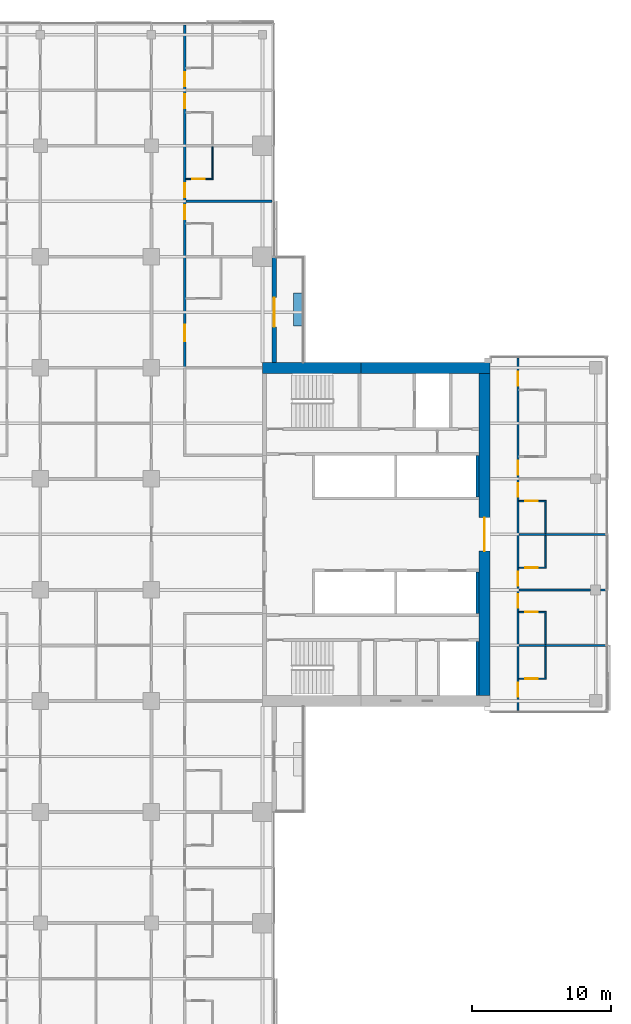
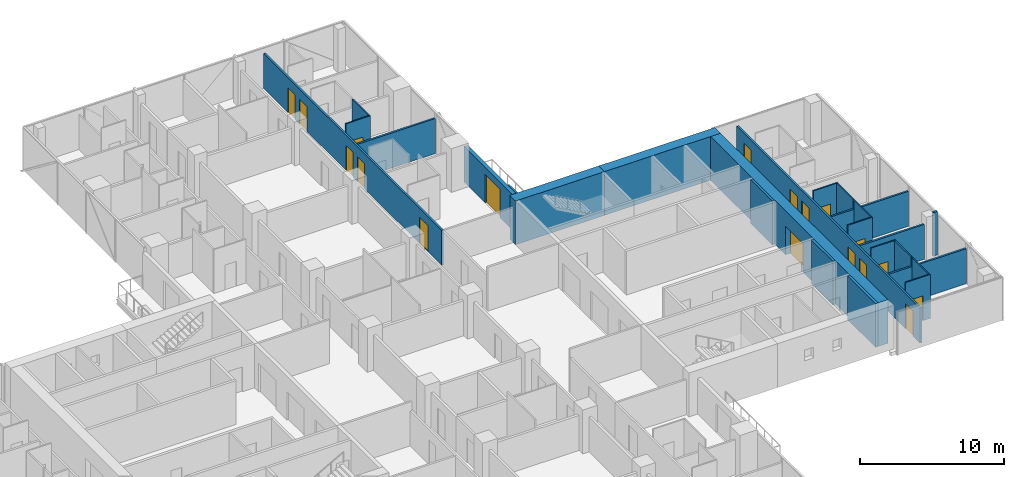
# One storey, part 22 of 29: 25 walls, 18 doors, 18 openings.
"""IFC4 building model written with IfcOpenShell, lengths in metres."""

from ifc_helpers import new_model, si_unit, direction, frame, frame_2d, origin, place, context, subcontext, project, spatial, rectangle, extrude, material, layer, layer_set, constituent, constituent_set, type_object, element, fill, save


model = new_model("IFC4")

# Units and contexts
model_context = context("Model", 3, precision=1e-05, world=origin(), true_north=direction((0.0, 1.0)))
body_context = subcontext(model_context, "Body", "Model", "MODEL_VIEW")
ifc_project = project(units=[si_unit("LENGTHUNIT", "METRE"), si_unit("AREAUNIT", "SQUARE_METRE"), si_unit("VOLUMEUNIT", "CUBIC_METRE"), si_unit("PLANEANGLEUNIT", "RADIAN"), si_unit("MASSUNIT", "GRAM", prefix="KILO")], contexts=[model_context])

# Site, building, storey
site_placement = place(None, origin())
site = spatial("IfcSite", under=ifc_project, at=site_placement, CompositionType="ELEMENT")
building_placement = place(site_placement, origin())
building = spatial("IfcBuilding", under=site, at=building_placement, Name="Crosswind Convention Tower", CompositionType="ELEMENT")
storey_placement = place(building_placement, frame((0.0, 0.0, 57.199951171875)))
storey = spatial("IfcBuildingStorey", under=building, at=storey_placement, Name="L08", CompositionType="ELEMENT", Elevation=57.199951171875)

# Wall, opening, door
ifc_material_1 = material(Name="Concrete C60/75", Category="concrete")
ifc_layer_1 = layer(ifc_material_1, 0.800048828125)
ifc_layer_set_1 = layer_set([ifc_layer_1], Name="Concrete C60/75")
wall_type_1 = type_object("IfcWallType", Name="Concrete core wall 800", PredefinedType="SHEAR", material=ifc_layer_set_1)
wall_1_placement = place(storey_placement, frame((153.0, 88.39990234375, 0.0), z_axis=(0.0, 0.0, 1.0), x_axis=(0.0, 1.0, 0.0)))
wall_1 = element("IfcWall", 1, at=wall_1_placement, inside=storey, type_object=wall_type_1, Name="Wall O E L08", PredefinedType="SHEAR", context=body_context, shape_type="SweptSolid", body=[
    extrude(rectangle(XDim=23.2001953125, YDim=0.800048828125, at=frame_2d((11.60009765625, 0.0))), origin(), (0.0, 0.0, 1.0), 3.699951171875),
])
opening_1_placement = place(wall_1_placement, frame((10.39990234375, 0.0, 0.0)))
opening_1 = element("IfcOpeningElement", 2, at=opening_1_placement, cuts=wall_1, Name="Opening D100", PredefinedType="OPENING", context=body_context, shape_type="SweptSolid", body=[
    extrude(rectangle(XDim=2.39990234375, YDim=2.39990234375, at=frame_2d((1.199951171875, 1.199951171875))), frame((0.0, 0.409912109375, 0.0), z_axis=(0.0, -1.0, 0.0), x_axis=(1.0, 0.0, 0.0)), (0.0, 0.0, 1.0), 0.820068359375),
])
ifc_material_2 = material(Name="Steel fire door with glazed vision panels", Category="steel")
door_type_1 = type_object("IfcDoorType", Name="Fire-rated double door 2400x2400", OperationType="DOUBLE_DOOR_SINGLE_SWING", PredefinedType="DOOR", material=ifc_material_2)
door_1_placement = place(opening_1_placement, origin())
door_1 = element("IfcDoor", 3, at=door_1_placement, inside=storey, type_object=door_type_1, Name="Lobby outer door L08", ObjectType="D100", OperationType="DOUBLE_DOOR_SINGLE_SWING", OverallHeight=2.39990234375, OverallWidth=2.39990234375, PredefinedType="DOOR", context=body_context, shape_type="SweptSolid", body=[
    extrude(rectangle(XDim=2.39990234375, YDim=2.39990234375, at=frame_2d((1.199951171875, 1.199951171875))), frame((0.0, 0.02490234375, 0.0), z_axis=(0.0, -1.0, 0.0), x_axis=(1.0, 0.0, 0.0)), (0.0, 0.0, 1.0), 0.050048828125),
])
fill(opening_1, door_1)

# Walls
ifc_material_3 = material(Name="Concrete C50/60", Category="concrete")
ifc_layer_2 = layer(ifc_material_3, 0.199951171875)
ifc_layer_set_2 = layer_set([ifc_layer_2], Name="Concrete C50/60")
wall_type_2 = type_object("IfcWallType", Name="Concrete shaft and stair wall 200", PredefinedType="SHEAR", material=ifc_layer_set_2)
for number, where, z_axis, x_axis, name in (
    (4, (152.5, 102.699951171875, 0.0), (0.0, 0.0, 1.0), (0.0, 1.0, 0.0), "Wall RPEAST E L08"),
    (5, (152.5, 94.300048828125, 0.0), (0.0, 0.0, 1.0), (0.0, 1.0, 0.0), "Wall RMEAST E L08"),
):
    element("IfcWall", number, at=place(storey_placement, frame(where, z_axis=z_axis, x_axis=x_axis)), inside=storey, type_object=wall_type_2, Name=name, PredefinedType="SHEAR", context=body_context, shape_type="SweptSolid", body=[
        extrude(rectangle(XDim=3.0, YDim=0.199951171875, at=frame_2d((1.5, 0.0))), origin(), (0.0, 0.0, 1.0), 3.699951171875),
    ])
wall_2_placement = place(storey_placement, frame((152.5, 88.39990234375, 0.0), z_axis=(0.0, 0.0, 1.0), x_axis=(0.0, 1.0, 0.0)))
element("IfcWall", 6, at=wall_2_placement, inside=storey, type_object=wall_type_2, Name="Wall MFSE E L08", PredefinedType="SHEAR", context=body_context, shape_type="SweptSolid", body=[
    extrude(rectangle(XDim=3.900146484375, YDim=0.199951171875, at=frame_2d((1.9501953125, 0.0))), origin(), (0.0, 0.0, 1.0), 3.699951171875),
])
ifc_material_4 = material(Name="Acoustic plasterboard partition", Category="gypsum")
ifc_layer_3 = layer(ifc_material_4, 0.14990234375)
ifc_layer_set_3 = layer_set([ifc_layer_3], Name="GUEST ROOM WALL 150")
wall_type_3 = type_object("IfcWallType", Name="GUEST ROOM WALL 150", PredefinedType="PARTITIONING", material=ifc_layer_set_3)
wall_3_placement = place(storey_placement, frame((155.47509765625, 92.0, 0.0), z_axis=(0.0, 0.0, 1.0), x_axis=(1.0, 0.0, 0.0)))
element("IfcWall", 7, at=wall_3_placement, inside=storey, type_object=wall_type_3, Name="Guest Room Wall 30", PredefinedType="PARTITIONING", context=body_context, shape_type="SweptSolid", body=[
    extrude(rectangle(XDim=6.224853515625, YDim=0.14990234375, at=frame_2d((3.1123046875, 0.0))), origin(), (0.0, 0.0, 1.0), 2.962890625),
])
wall_4_placement = place(storey_placement, frame((155.47509765625, 96.0, 0.0), z_axis=(0.0, 0.0, 1.0), x_axis=(1.0, 0.0, 0.0)))
element("IfcWall", 8, at=wall_4_placement, inside=storey, type_object=wall_type_3, Name="Guest Room Wall 39", PredefinedType="PARTITIONING", context=body_context, shape_type="SweptSolid", body=[
    extrude(rectangle(XDim=5.1748046875, YDim=0.14990234375, at=frame_2d((2.58740234375, 0.0))), origin(), (0.0, 0.0, 1.0), 2.95654296875),
])
wall_5_placement = place(storey_placement, frame((161.35009765625, 96.0, 0.0), z_axis=(0.0, 0.0, 1.0), x_axis=(1.0, 0.0, 0.0)))
element("IfcWall", 9, at=wall_5_placement, inside=storey, type_object=wall_type_3, Name="Guest Room Wall 40", PredefinedType="PARTITIONING", context=body_context, shape_type="SweptSolid", body=[
    extrude(rectangle(XDim=0.349853515625, YDim=0.14990234375, at=frame_2d((0.1748046875, 0.0))), origin(), (0.0, 0.0, 1.0), 3.699951171875),
])
for number, where, z_axis, x_axis, name in (
    (10, (155.47509765625, 100.0, 0.0), (0.0, 0.0, 1.0), (1.0, 0.0, 0.0), "Guest Room Wall 44"),
    (11, (131.47509765625, 124.0, 0.0), (0.0, 0.0, 1.0), (1.0, 0.0, 0.0), "Guest Room Wall 72"),
):
    element("IfcWall", number, at=place(storey_placement, frame(where, z_axis=z_axis, x_axis=x_axis)), inside=storey, type_object=wall_type_3, Name=name, PredefinedType="PARTITIONING", context=body_context, shape_type="SweptSolid", body=[
        extrude(rectangle(XDim=6.224853515625, YDim=0.14990234375, at=frame_2d((3.1123046875, 0.0))), origin(), (0.0, 0.0, 1.0), 2.962890625),
    ])

# Wall, openings, doors
wall_6_placement = place(storey_placement, frame((131.39990234375, 112.0, 0.0), z_axis=(0.0, 0.0, 1.0), x_axis=(0.0, 1.0, 0.0)))
wall_6 = element("IfcWall", 12, at=wall_6_placement, inside=storey, type_object=wall_type_3, Name="Guest Room Wall 142", PredefinedType="PARTITIONING", context=body_context, shape_type="SweptSolid", body=[
    extrude(rectangle(XDim=24.699951171875, YDim=0.14990234375, at=frame_2d((12.35009765625, 0.0))), origin(), (0.0, 0.0, 1.0), 2.95654296875),
])
opening_2_placement = place(wall_6_placement, frame((1.89990234375, 0.0, 0.0)))
opening_2 = element("IfcOpeningElement", 13, at=opening_2_placement, cuts=wall_6, Name="Opening 08.005", PredefinedType="OPENING", context=body_context, shape_type="SweptSolid", body=[
    extrude(rectangle(XDim=1.199951171875, YDim=2.199951171875, at=frame_2d((0.60009765625, 1.10009765625))), frame((0.0, 0.0849609375, 0.0), z_axis=(0.0, -1.0, 0.0), x_axis=(1.0, 0.0, 0.0)), (0.0, 0.0, 1.0), 0.169921875),
])
opening_3_placement = place(wall_6_placement, frame((10.699951171875, 0.0, 0.0)))
opening_3 = element("IfcOpeningElement", 14, at=opening_3_placement, cuts=wall_6, Name="Opening 08.007", PredefinedType="OPENING", context=body_context, shape_type="SweptSolid", body=[
    extrude(rectangle(XDim=1.0, YDim=2.10009765625, at=frame_2d((0.5, 1.050048828125))), frame((0.0, 0.0849609375, 0.0), z_axis=(0.0, -1.0, 0.0), x_axis=(1.0, 0.0, 0.0)), (0.0, 0.0, 1.0), 0.169921875),
])
opening_4_placement = place(wall_6_placement, frame((12.300048828125, 0.0, 0.0)))
opening_4 = element("IfcOpeningElement", 15, at=opening_4_placement, cuts=wall_6, Name="Opening 08.009", PredefinedType="OPENING", context=body_context, shape_type="SweptSolid", body=[
    extrude(rectangle(XDim=1.0, YDim=2.10009765625, at=frame_2d((0.5, 1.050048828125))), frame((0.0, 0.0849609375, 0.0), z_axis=(0.0, -1.0, 0.0), x_axis=(1.0, 0.0, 0.0)), (0.0, 0.0, 1.0), 0.169921875),
])
opening_5_placement = place(wall_6_placement, frame((18.699951171875, 0.0, 0.0)))
opening_5 = element("IfcOpeningElement", 16, at=opening_5_placement, cuts=wall_6, Name="Opening 08.011", PredefinedType="OPENING", context=body_context, shape_type="SweptSolid", body=[
    extrude(rectangle(XDim=1.0, YDim=2.10009765625, at=frame_2d((0.5, 1.050048828125))), frame((0.0, 0.0849609375, 0.0), z_axis=(0.0, -1.0, 0.0), x_axis=(1.0, 0.0, 0.0)), (0.0, 0.0, 1.0), 0.169921875),
])
opening_6_placement = place(wall_6_placement, frame((20.300048828125, 0.0, 0.0)))
opening_6 = element("IfcOpeningElement", 17, at=opening_6_placement, cuts=wall_6, Name="Opening 08.013", PredefinedType="OPENING", context=body_context, shape_type="SweptSolid", body=[
    extrude(rectangle(XDim=1.0, YDim=2.10009765625, at=frame_2d((0.5, 1.050048828125))), frame((0.0, 0.0849609375, 0.0), z_axis=(0.0, -1.0, 0.0), x_axis=(1.0, 0.0, 0.0)), (0.0, 0.0, 1.0), 0.169921875),
])
ifc_material_5 = material(Name="Timber fire door", Category="wood")
door_type_2 = type_object("IfcDoorType", Name="GUEST ROOM DOOR 1000X2100", OperationType="NOTDEFINED", PredefinedType="DOOR", material=ifc_material_5)
door_2_placement = place(opening_3_placement, frame((1.0, 0.0, 0.0), z_axis=(0.0, 0.0, 1.0), x_axis=(-1.0, 0.0, 0.0)))
door_2 = element("IfcDoor", 18, at=door_2_placement, inside=storey, type_object=door_type_2, Name="Door 08.007", ObjectType="D1", OperationType="SINGLE_SWING_LEFT", OverallHeight=2.10009765625, OverallWidth=1.0, PredefinedType="DOOR", context=body_context, shape_type="SweptSolid", body=[
    extrude(rectangle(XDim=1.0, YDim=2.10009765625, at=frame_2d((0.5, 1.050048828125))), frame((0.0, 0.02490234375, 0.0), z_axis=(0.0, -1.0, 0.0), x_axis=(1.0, 0.0, 0.0)), (0.0, 0.0, 1.0), 0.050048828125),
])
fill(opening_3, door_2)
door_3_placement = place(opening_4_placement, frame((1.0, 0.0, 0.0), z_axis=(0.0, 0.0, 1.0), x_axis=(-1.0, 0.0, 0.0)))
door_3 = element("IfcDoor", 19, at=door_3_placement, inside=storey, type_object=door_type_2, Name="Door 08.009", ObjectType="D1", OperationType="SINGLE_SWING_LEFT", OverallHeight=2.10009765625, OverallWidth=1.0, PredefinedType="DOOR", context=body_context, shape_type="SweptSolid", body=[
    extrude(rectangle(XDim=1.0, YDim=2.10009765625, at=frame_2d((0.5, 1.050048828125))), frame((0.0, 0.02490234375, 0.0), z_axis=(0.0, -1.0, 0.0), x_axis=(1.0, 0.0, 0.0)), (0.0, 0.0, 1.0), 0.050048828125),
])
fill(opening_4, door_3)
door_4_placement = place(opening_5_placement, frame((1.0, 0.0, 0.0), z_axis=(0.0, 0.0, 1.0), x_axis=(-1.0, 0.0, 0.0)))
door_4 = element("IfcDoor", 20, at=door_4_placement, inside=storey, type_object=door_type_2, Name="Door 08.011", ObjectType="D1", OperationType="SINGLE_SWING_LEFT", OverallHeight=2.10009765625, OverallWidth=1.0, PredefinedType="DOOR", context=body_context, shape_type="SweptSolid", body=[
    extrude(rectangle(XDim=1.0, YDim=2.10009765625, at=frame_2d((0.5, 1.050048828125))), frame((0.0, 0.02490234375, 0.0), z_axis=(0.0, -1.0, 0.0), x_axis=(1.0, 0.0, 0.0)), (0.0, 0.0, 1.0), 0.050048828125),
])
fill(opening_5, door_4)
door_5_placement = place(opening_6_placement, frame((1.0, 0.0, 0.0), z_axis=(0.0, 0.0, 1.0), x_axis=(-1.0, 0.0, 0.0)))
door_5 = element("IfcDoor", 21, at=door_5_placement, inside=storey, type_object=door_type_2, Name="Door 08.013", ObjectType="D1", OperationType="SINGLE_SWING_LEFT", OverallHeight=2.10009765625, OverallWidth=1.0, PredefinedType="DOOR", context=body_context, shape_type="SweptSolid", body=[
    extrude(rectangle(XDim=1.0, YDim=2.10009765625, at=frame_2d((0.5, 1.050048828125))), frame((0.0, 0.02490234375, 0.0), z_axis=(0.0, -1.0, 0.0), x_axis=(1.0, 0.0, 0.0)), (0.0, 0.0, 1.0), 0.050048828125),
])
fill(opening_6, door_5)
door_type_3 = type_object("IfcDoorType", Name="SUITE DOOR 1200X2200", OperationType="DOUBLE_DOOR_SINGLE_SWING", PredefinedType="DOOR", material=ifc_material_5)
door_6_placement = place(opening_2_placement, frame((1.199951171875, 0.0, 0.0), z_axis=(0.0, 0.0, 1.0), x_axis=(-1.0, 0.0, 0.0)))
door_6 = element("IfcDoor", 22, at=door_6_placement, inside=storey, type_object=door_type_3, Name="Door 08.005", ObjectType="D14", OperationType="DOUBLE_DOOR_SINGLE_SWING", OverallHeight=2.199951171875, OverallWidth=1.199951171875, PredefinedType="DOOR", context=body_context, shape_type="SweptSolid", body=[
    extrude(rectangle(XDim=1.199951171875, YDim=2.199951171875, at=frame_2d((0.60009765625, 1.10009765625))), frame((0.0, 0.02490234375, 0.0), z_axis=(0.0, -1.0, 0.0), x_axis=(1.0, 0.0, 0.0)), (0.0, 0.0, 1.0), 0.050048828125),
])
fill(opening_2, door_6)

wall_7_placement = place(storey_placement, frame((155.39990234375, 87.300048828125, 0.0), z_axis=(0.0, 0.0, 1.0), x_axis=(0.0, 1.0, 0.0)))
wall_7 = element("IfcWall", 23, at=wall_7_placement, inside=storey, type_object=wall_type_3, Name="Guest Room Wall 153", PredefinedType="PARTITIONING", context=body_context, shape_type="SweptSolid", body=[
    extrude(rectangle(XDim=25.39990234375, YDim=0.14990234375, at=frame_2d((12.699951171875, 0.0))), origin(), (0.0, 0.0, 1.0), 2.95654296875),
])
opening_7_placement = place(wall_7_placement, frame((1.0, 0.0, 0.0)))
opening_7 = element("IfcOpeningElement", 24, at=opening_7_placement, cuts=wall_7, Name="Opening 08.045", PredefinedType="OPENING", context=body_context, shape_type="SweptSolid", body=[
    extrude(rectangle(XDim=1.0, YDim=2.10009765625, at=frame_2d((0.5, 1.050048828125))), frame((0.0, 0.0849609375, 0.0), z_axis=(0.0, -1.0, 0.0), x_axis=(1.0, 0.0, 0.0)), (0.0, 0.0, 1.0), 0.169921875),
])
opening_8_placement = place(wall_7_placement, frame((7.39990234375, 0.0, 0.0)))
opening_8 = element("IfcOpeningElement", 25, at=opening_8_placement, cuts=wall_7, Name="Opening 08.047", PredefinedType="OPENING", context=body_context, shape_type="SweptSolid", body=[
    extrude(rectangle(XDim=1.0, YDim=2.10009765625, at=frame_2d((0.5, 1.050048828125))), frame((0.0, 0.0849609375, 0.0), z_axis=(0.0, -1.0, 0.0), x_axis=(1.0, 0.0, 0.0)), (0.0, 0.0, 1.0), 0.169921875),
])
opening_9_placement = place(wall_7_placement, frame((9.0, 0.0, 0.0)))
opening_9 = element("IfcOpeningElement", 26, at=opening_9_placement, cuts=wall_7, Name="Opening 08.049", PredefinedType="OPENING", context=body_context, shape_type="SweptSolid", body=[
    extrude(rectangle(XDim=1.0, YDim=2.10009765625, at=frame_2d((0.5, 1.050048828125))), frame((0.0, 0.0849609375, 0.0), z_axis=(0.0, -1.0, 0.0), x_axis=(1.0, 0.0, 0.0)), (0.0, 0.0, 1.0), 0.169921875),
])
opening_10_placement = place(wall_7_placement, frame((15.39990234375, 0.0, 0.0)))
opening_10 = element("IfcOpeningElement", 27, at=opening_10_placement, cuts=wall_7, Name="Opening 08.051", PredefinedType="OPENING", context=body_context, shape_type="SweptSolid", body=[
    extrude(rectangle(XDim=1.0, YDim=2.10009765625, at=frame_2d((0.5, 1.050048828125))), frame((0.0, 0.0849609375, 0.0), z_axis=(0.0, -1.0, 0.0), x_axis=(1.0, 0.0, 0.0)), (0.0, 0.0, 1.0), 0.169921875),
])
opening_11_placement = place(wall_7_placement, frame((17.0, 0.0, 0.0)))
opening_11 = element("IfcOpeningElement", 28, at=opening_11_placement, cuts=wall_7, Name="Opening 08.053", PredefinedType="OPENING", context=body_context, shape_type="SweptSolid", body=[
    extrude(rectangle(XDim=1.0, YDim=2.10009765625, at=frame_2d((0.5, 1.050048828125))), frame((0.0, 0.0849609375, 0.0), z_axis=(0.0, -1.0, 0.0), x_axis=(1.0, 0.0, 0.0)), (0.0, 0.0, 1.0), 0.169921875),
])
opening_12_placement = place(wall_7_placement, frame((23.39990234375, 0.0, 0.0)))
opening_12 = element("IfcOpeningElement", 29, at=opening_12_placement, cuts=wall_7, Name="Opening 08.055", PredefinedType="OPENING", context=body_context, shape_type="SweptSolid", body=[
    extrude(rectangle(XDim=1.0, YDim=2.10009765625, at=frame_2d((0.5, 1.050048828125))), frame((0.0, 0.0849609375, 0.0), z_axis=(0.0, -1.0, 0.0), x_axis=(1.0, 0.0, 0.0)), (0.0, 0.0, 1.0), 0.169921875),
])
door_7_placement = place(opening_7_placement, frame((1.0, 0.0, 0.0), z_axis=(0.0, 0.0, 1.0), x_axis=(-1.0, 0.0, 0.0)))
door_7 = element("IfcDoor", 30, at=door_7_placement, inside=storey, type_object=door_type_2, Name="Door 08.045", ObjectType="D1", OperationType="SINGLE_SWING_LEFT", OverallHeight=2.10009765625, OverallWidth=1.0, PredefinedType="DOOR", context=body_context, shape_type="SweptSolid", body=[
    extrude(rectangle(XDim=1.0, YDim=2.10009765625, at=frame_2d((0.5, 1.050048828125))), frame((0.0, 0.02490234375, 0.0), z_axis=(0.0, -1.0, 0.0), x_axis=(1.0, 0.0, 0.0)), (0.0, 0.0, 1.0), 0.050048828125),
])
fill(opening_7, door_7)
door_8_placement = place(opening_8_placement, frame((1.0, 0.0, 0.0), z_axis=(0.0, 0.0, 1.0), x_axis=(-1.0, 0.0, 0.0)))
door_8 = element("IfcDoor", 31, at=door_8_placement, inside=storey, type_object=door_type_2, Name="Door 08.047", ObjectType="D1", OperationType="SINGLE_SWING_LEFT", OverallHeight=2.10009765625, OverallWidth=1.0, PredefinedType="DOOR", context=body_context, shape_type="SweptSolid", body=[
    extrude(rectangle(XDim=1.0, YDim=2.10009765625, at=frame_2d((0.5, 1.050048828125))), frame((0.0, 0.02490234375, 0.0), z_axis=(0.0, -1.0, 0.0), x_axis=(1.0, 0.0, 0.0)), (0.0, 0.0, 1.0), 0.050048828125),
])
fill(opening_8, door_8)
door_9_placement = place(opening_9_placement, frame((1.0, 0.0, 0.0), z_axis=(0.0, 0.0, 1.0), x_axis=(-1.0, 0.0, 0.0)))
door_9 = element("IfcDoor", 32, at=door_9_placement, inside=storey, type_object=door_type_2, Name="Door 08.049", ObjectType="D1", OperationType="SINGLE_SWING_LEFT", OverallHeight=2.10009765625, OverallWidth=1.0, PredefinedType="DOOR", context=body_context, shape_type="SweptSolid", body=[
    extrude(rectangle(XDim=1.0, YDim=2.10009765625, at=frame_2d((0.5, 1.050048828125))), frame((0.0, 0.02490234375, 0.0), z_axis=(0.0, -1.0, 0.0), x_axis=(1.0, 0.0, 0.0)), (0.0, 0.0, 1.0), 0.050048828125),
])
fill(opening_9, door_9)
door_10_placement = place(opening_10_placement, frame((1.0, 0.0, 0.0), z_axis=(0.0, 0.0, 1.0), x_axis=(-1.0, 0.0, 0.0)))
door_10 = element("IfcDoor", 33, at=door_10_placement, inside=storey, type_object=door_type_2, Name="Door 08.051", ObjectType="D1", OperationType="SINGLE_SWING_LEFT", OverallHeight=2.10009765625, OverallWidth=1.0, PredefinedType="DOOR", context=body_context, shape_type="SweptSolid", body=[
    extrude(rectangle(XDim=1.0, YDim=2.10009765625, at=frame_2d((0.5, 1.050048828125))), frame((0.0, 0.02490234375, 0.0), z_axis=(0.0, -1.0, 0.0), x_axis=(1.0, 0.0, 0.0)), (0.0, 0.0, 1.0), 0.050048828125),
])
fill(opening_10, door_10)
door_11_placement = place(opening_11_placement, frame((1.0, 0.0, 0.0), z_axis=(0.0, 0.0, 1.0), x_axis=(-1.0, 0.0, 0.0)))
door_11 = element("IfcDoor", 34, at=door_11_placement, inside=storey, type_object=door_type_2, Name="Door 08.053", ObjectType="D1", OperationType="SINGLE_SWING_LEFT", OverallHeight=2.10009765625, OverallWidth=1.0, PredefinedType="DOOR", context=body_context, shape_type="SweptSolid", body=[
    extrude(rectangle(XDim=1.0, YDim=2.10009765625, at=frame_2d((0.5, 1.050048828125))), frame((0.0, 0.02490234375, 0.0), z_axis=(0.0, -1.0, 0.0), x_axis=(1.0, 0.0, 0.0)), (0.0, 0.0, 1.0), 0.050048828125),
])
fill(opening_11, door_11)
door_12_placement = place(opening_12_placement, frame((1.0, 0.0, 0.0), z_axis=(0.0, 0.0, 1.0), x_axis=(-1.0, 0.0, 0.0)))
door_12 = element("IfcDoor", 35, at=door_12_placement, inside=storey, type_object=door_type_2, Name="Door 08.055", ObjectType="D1", OperationType="SINGLE_SWING_RIGHT", OverallHeight=2.10009765625, OverallWidth=1.0, PredefinedType="DOOR", context=body_context, shape_type="SweptSolid", body=[
    extrude(rectangle(XDim=1.0, YDim=2.10009765625, at=frame_2d((0.5, 1.050048828125))), frame((0.0, 0.02490234375, 0.0), z_axis=(0.0, -1.0, 0.0), x_axis=(1.0, 0.0, 0.0)), (0.0, 0.0, 1.0), 0.050048828125),
])
fill(opening_12, door_12)

# Wall
ifc_material_6 = material(Name="Concrete C30/37", Category="concrete")
ifc_layer_4 = layer(ifc_material_6, 0.60009765625)
ifc_layer_set_4 = layer_set([ifc_layer_4], Name="Concrete C30/37")
wall_type_4 = type_object("IfcWallType", Name="PLANTER BOX WALL 600", PredefinedType="SOLIDWALL", material=ifc_layer_set_4)
wall_8_placement = place(storey_placement, frame((139.550048828125, 115.0, 0.0), z_axis=(0.0, 0.0, 1.0), x_axis=(0.0, 1.0, 0.0)))
element("IfcWall", 36, at=wall_8_placement, inside=storey, type_object=wall_type_4, Name="PLANTER L08 N-E.1-1", PredefinedType="SOLIDWALL", context=body_context, shape_type="SweptSolid", body=[
    extrude(rectangle(XDim=2.39990234375, YDim=0.60009765625, at=frame_2d((1.199951171875, 0.0))), origin(), (0.0, 0.0, 1.0), 0.60009765625),
])

# Wall, opening, door
ifc_material_7 = material(Name="Terracotta rainscreen", Category="ceramic")
ifc_layer_5 = layer(ifc_material_7, 0.02001953125)
ifc_material_8 = material(Name="Mineral wool insulation", Category="insulation")
ifc_layer_6 = layer(ifc_material_8, 0.10009765625)
ifc_material_9 = material(Name="Concrete blockwork", Category="masonry")
ifc_layer_7 = layer(ifc_material_9, 0.179931640625)
ifc_layer_set_5 = layer_set([ifc_layer_5, ifc_layer_6, ifc_layer_7], Name="TERRACOTTA INFILL WALL 300")
wall_type_5 = type_object("IfcWallType", Name="TERRACOTTA INFILL WALL 300", PredefinedType="SOLIDWALL", material=ifc_layer_set_5)
wall_9_placement = place(storey_placement, frame((137.85009765625, 112.39990234375, 0.0), z_axis=(0.0, 0.0, 1.0), x_axis=(0.0, 1.0, 0.0)))
wall_9 = element("IfcWall", 37, at=wall_9_placement, inside=storey, type_object=wall_type_5, Name="Notch front wall L08 N-E.1-1", PredefinedType="SOLIDWALL", context=body_context, shape_type="SweptSolid", body=[
    extrude(rectangle(XDim=7.567626953125, YDim=0.300048828125, at=frame_2d((3.78369140625, 0.0))), origin(), (0.0, 0.0, 1.0), 3.013671875),
])
opening_13_placement = place(wall_9_placement, frame((2.550048828125, 0.0, 0.0)))
opening_13 = element("IfcOpeningElement", 38, at=opening_13_placement, cuts=wall_9, Name="Opening D141", PredefinedType="OPENING", context=body_context, shape_type="SweptSolid", body=[
    extrude(rectangle(XDim=2.10009765625, YDim=2.39990234375, at=frame_2d((1.050048828125, 1.199951171875))), frame((0.0, 0.159912109375, 0.0), z_axis=(0.0, -1.0, 0.0), x_axis=(1.0, 0.0, 0.0)), (0.0, 0.0, 1.0), 0.320068359375),
])
ifc_material_10 = material(Name="Aluminium glazed door", Category="aluminium")
door_type_4 = type_object("IfcDoorType", Name="BALCONY SLIDING DOOR 2100X2400", OperationType="SLIDING_TO_LEFT", PredefinedType="DOOR", material=ifc_material_10)
door_13_placement = place(opening_13_placement, frame((2.10009765625, 0.0, 0.0), z_axis=(0.0, 0.0, 1.0), x_axis=(-1.0, 0.0, 0.0)))
door_13 = element("IfcDoor", 39, at=door_13_placement, inside=storey, type_object=door_type_4, Name="D141 balcony door L08 N-E.1-1", ObjectType="D141", OperationType="SLIDING_TO_LEFT", OverallHeight=2.39990234375, OverallWidth=2.10009765625, PredefinedType="DOOR", context=body_context, shape_type="SweptSolid", body=[
    extrude(rectangle(XDim=2.10009765625, YDim=2.39990234375, at=frame_2d((1.050048828125, 1.199951171875))), frame((0.0, 0.02490234375, 0.0), z_axis=(0.0, -1.0, 0.0), x_axis=(1.0, 0.0, 0.0)), (0.0, 0.0, 1.0), 0.050048828125),
])
fill(opening_13, door_13)

# Walls
ifc_constituent_1 = constituent(ifc_material_1, Name="Structure")
ifc_constituent_2 = constituent(ifc_material_7, Name="Facing")
ifc_constituent_set = constituent_set(constituents=[ifc_constituent_1, ifc_constituent_2], Name="Concrete C60/75, Terracotta rainscreen")
wall_type_6 = type_object("IfcWallType", Name="Terracotta rainscreen on concrete core wall 800", PredefinedType="SHEAR", material=ifc_constituent_set)
wall_10_placement = place(storey_placement, frame((137.0, 112.0, 0.0), z_axis=(0.0, 0.0, 1.0), x_axis=(1.0, 0.0, 0.0)))
element("IfcWall", 40, at=wall_10_placement, inside=storey, type_object=wall_type_6, Name="Wall N1 E L08", PredefinedType="SHEAR", context=body_context, shape_type="SweptSolid", body=[
    extrude(rectangle(XDim=7.10009765625, YDim=0.800048828125, at=frame_2d((3.550048828125, 0.0))), origin(), (0.0, 0.0, 1.0), 3.699951171875),
])
wall_11_placement = place(storey_placement, frame((144.10009765625, 112.0, 0.0), z_axis=(0.0, 0.0, 1.0), x_axis=(1.0, 0.0, 0.0)))
element("IfcWall", 41, at=wall_11_placement, inside=storey, type_object=wall_type_6, Name="Wall N2 E L08", PredefinedType="SHEAR", context=body_context, shape_type="SweptSolid", body=[
    extrude(rectangle(XDim=9.2998046875, YDim=0.800048828125, at=frame_2d((4.64990234375, 0.0))), origin(), (0.0, 0.0, 1.0), 3.699951171875),
])

# Wall, opening, door
ifc_material_11 = material(Name="Water-resistant plasterboard partition", Category="gypsum")
ifc_layer_8 = layer(ifc_material_11, 0.10009765625)
ifc_layer_set_6 = layer_set([ifc_layer_8], Name="WET ROOM PARTITION 100")
wall_type_7 = type_object("IfcWallType", Name="WET ROOM PARTITION 100", PredefinedType="PLUMBINGWALL", material=ifc_layer_set_6)
wall_12_placement = place(storey_placement, frame((155.47509765625, 89.60009765625, 0.0), z_axis=(0.0, 0.0, 1.0), x_axis=(1.0, 0.0, 0.0)))
wall_12 = element("IfcWall", 42, at=wall_12_placement, inside=storey, type_object=wall_type_7, Name="Wet Room Partition 26", PredefinedType="PLUMBINGWALL", context=body_context, shape_type="SweptSolid", body=[
    extrude(rectangle(XDim=1.974853515625, YDim=0.10009765625, at=frame_2d((0.9873046875, 0.0))), origin(), (0.0, 0.0, 1.0), 3.699951171875),
])
opening_14_placement = place(wall_12_placement, frame((0.47509765625, 0.0, 0.0)))
opening_14 = element("IfcOpeningElement", 43, at=opening_14_placement, cuts=wall_12, Name="Opening 08.046", PredefinedType="OPENING", context=body_context, shape_type="SweptSolid", body=[
    extrude(rectangle(XDim=0.89990234375, YDim=2.10009765625, at=frame_2d((0.449951171875, 1.050048828125))), frame((0.0, 0.06005859375, 0.0), z_axis=(0.0, -1.0, 0.0), x_axis=(1.0, 0.0, 0.0)), (0.0, 0.0, 1.0), 0.1201171875),
])
ifc_material_12 = material(Name="Timber door", Category="wood")
door_type_5 = type_object("IfcDoorType", Name="EN-SUITE DOOR 900X2100", OperationType="NOTDEFINED", PredefinedType="DOOR", material=ifc_material_12)
door_14_placement = place(opening_14_placement, origin())
door_14 = element("IfcDoor", 44, at=door_14_placement, inside=storey, type_object=door_type_5, Name="Door 08.046", ObjectType="D2", OperationType="SINGLE_SWING_RIGHT", OverallHeight=2.10009765625, OverallWidth=0.89990234375, PredefinedType="DOOR", context=body_context, shape_type="SweptSolid", body=[
    extrude(rectangle(XDim=0.89990234375, YDim=2.10009765625, at=frame_2d((0.449951171875, 1.050048828125))), frame((0.0, 0.02490234375, 0.0), z_axis=(0.0, -1.0, 0.0), x_axis=(1.0, 0.0, 0.0)), (0.0, 0.0, 1.0), 0.050048828125),
])
fill(opening_14, door_14)

wall_13_placement = place(storey_placement, frame((155.47509765625, 94.39990234375, 0.0), z_axis=(0.0, 0.0, 1.0), x_axis=(1.0, 0.0, 0.0)))
wall_13 = element("IfcWall", 45, at=wall_13_placement, inside=storey, type_object=wall_type_7, Name="Wet Room Partition 34", PredefinedType="PLUMBINGWALL", context=body_context, shape_type="SweptSolid", body=[
    extrude(rectangle(XDim=1.974853515625, YDim=0.10009765625, at=frame_2d((0.9873046875, 0.0))), origin(), (0.0, 0.0, 1.0), 3.699951171875),
])
opening_15_placement = place(wall_13_placement, frame((0.47509765625, 0.0, 0.0)))
opening_15 = element("IfcOpeningElement", 46, at=opening_15_placement, cuts=wall_13, Name="Opening 08.048", PredefinedType="OPENING", context=body_context, shape_type="SweptSolid", body=[
    extrude(rectangle(XDim=0.89990234375, YDim=2.10009765625, at=frame_2d((0.449951171875, 1.050048828125))), frame((0.0, 0.06005859375, 0.0), z_axis=(0.0, -1.0, 0.0), x_axis=(1.0, 0.0, 0.0)), (0.0, 0.0, 1.0), 0.1201171875),
])
door_15_placement = place(opening_15_placement, frame((0.89990234375, 0.0, 0.0), z_axis=(0.0, 0.0, 1.0), x_axis=(-1.0, 0.0, 0.0)))
door_15 = element("IfcDoor", 47, at=door_15_placement, inside=storey, type_object=door_type_5, Name="Door 08.048", ObjectType="D2", OperationType="SINGLE_SWING_LEFT", OverallHeight=2.10009765625, OverallWidth=0.89990234375, PredefinedType="DOOR", context=body_context, shape_type="SweptSolid", body=[
    extrude(rectangle(XDim=0.89990234375, YDim=2.10009765625, at=frame_2d((0.449951171875, 1.050048828125))), frame((0.0, 0.02490234375, 0.0), z_axis=(0.0, -1.0, 0.0), x_axis=(1.0, 0.0, 0.0)), (0.0, 0.0, 1.0), 0.050048828125),
])
fill(opening_15, door_15)

wall_14_placement = place(storey_placement, frame((155.47509765625, 97.60009765625, 0.0), z_axis=(0.0, 0.0, 1.0), x_axis=(1.0, 0.0, 0.0)))
wall_14 = element("IfcWall", 48, at=wall_14_placement, inside=storey, type_object=wall_type_7, Name="Wet Room Partition 42", PredefinedType="PLUMBINGWALL", context=body_context, shape_type="SweptSolid", body=[
    extrude(rectangle(XDim=1.974853515625, YDim=0.10009765625, at=frame_2d((0.9873046875, 0.0))), origin(), (0.0, 0.0, 1.0), 3.699951171875),
])
opening_16_placement = place(wall_14_placement, frame((0.47509765625, 0.0, 0.0)))
opening_16 = element("IfcOpeningElement", 49, at=opening_16_placement, cuts=wall_14, Name="Opening 08.050", PredefinedType="OPENING", context=body_context, shape_type="SweptSolid", body=[
    extrude(rectangle(XDim=0.89990234375, YDim=2.10009765625, at=frame_2d((0.449951171875, 1.050048828125))), frame((0.0, 0.06005859375, 0.0), z_axis=(0.0, -1.0, 0.0), x_axis=(1.0, 0.0, 0.0)), (0.0, 0.0, 1.0), 0.1201171875),
])
door_16_placement = place(opening_16_placement, origin())
door_16 = element("IfcDoor", 50, at=door_16_placement, inside=storey, type_object=door_type_5, Name="Door 08.050", ObjectType="D2", OperationType="SINGLE_SWING_RIGHT", OverallHeight=2.10009765625, OverallWidth=0.89990234375, PredefinedType="DOOR", context=body_context, shape_type="SweptSolid", body=[
    extrude(rectangle(XDim=0.89990234375, YDim=2.10009765625, at=frame_2d((0.449951171875, 1.050048828125))), frame((0.0, 0.02490234375, 0.0), z_axis=(0.0, -1.0, 0.0), x_axis=(1.0, 0.0, 0.0)), (0.0, 0.0, 1.0), 0.050048828125),
])
fill(opening_16, door_16)

wall_15_placement = place(storey_placement, frame((155.47509765625, 102.39990234375, 0.0), z_axis=(0.0, 0.0, 1.0), x_axis=(1.0, 0.0, 0.0)))
wall_15 = element("IfcWall", 51, at=wall_15_placement, inside=storey, type_object=wall_type_7, Name="Wet Room Partition 46", PredefinedType="PLUMBINGWALL", context=body_context, shape_type="SweptSolid", body=[
    extrude(rectangle(XDim=1.974853515625, YDim=0.10009765625, at=frame_2d((0.9873046875, 0.0))), origin(), (0.0, 0.0, 1.0), 3.699951171875),
])
opening_17_placement = place(wall_15_placement, frame((0.47509765625, 0.0, 0.0)))
opening_17 = element("IfcOpeningElement", 52, at=opening_17_placement, cuts=wall_15, Name="Opening 08.052", PredefinedType="OPENING", context=body_context, shape_type="SweptSolid", body=[
    extrude(rectangle(XDim=0.89990234375, YDim=2.10009765625, at=frame_2d((0.449951171875, 1.050048828125))), frame((0.0, 0.06005859375, 0.0), z_axis=(0.0, -1.0, 0.0), x_axis=(1.0, 0.0, 0.0)), (0.0, 0.0, 1.0), 0.1201171875),
])
door_17_placement = place(opening_17_placement, frame((0.89990234375, 0.0, 0.0), z_axis=(0.0, 0.0, 1.0), x_axis=(-1.0, 0.0, 0.0)))
door_17 = element("IfcDoor", 53, at=door_17_placement, inside=storey, type_object=door_type_5, Name="Door 08.052", ObjectType="D2", OperationType="SINGLE_SWING_LEFT", OverallHeight=2.10009765625, OverallWidth=0.89990234375, PredefinedType="DOOR", context=body_context, shape_type="SweptSolid", body=[
    extrude(rectangle(XDim=0.89990234375, YDim=2.10009765625, at=frame_2d((0.449951171875, 1.050048828125))), frame((0.0, 0.02490234375, 0.0), z_axis=(0.0, -1.0, 0.0), x_axis=(1.0, 0.0, 0.0)), (0.0, 0.0, 1.0), 0.050048828125),
])
fill(opening_17, door_17)

wall_16_placement = place(storey_placement, frame((131.47509765625, 125.60009765625, 0.0), z_axis=(0.0, 0.0, 1.0), x_axis=(1.0, 0.0, 0.0)))
wall_16 = element("IfcWall", 54, at=wall_16_placement, inside=storey, type_object=wall_type_7, Name="Wet Room Partition 74", PredefinedType="PLUMBINGWALL", context=body_context, shape_type="SweptSolid", body=[
    extrude(rectangle(XDim=1.974853515625, YDim=0.10009765625, at=frame_2d((0.9873046875, 0.0))), origin(), (0.0, 0.0, 1.0), 3.699951171875),
])
opening_18_placement = place(wall_16_placement, frame((0.47509765625, 0.0, 0.0)))
opening_18 = element("IfcOpeningElement", 55, at=opening_18_placement, cuts=wall_16, Name="Opening 08.010", PredefinedType="OPENING", context=body_context, shape_type="SweptSolid", body=[
    extrude(rectangle(XDim=0.89990234375, YDim=2.10009765625, at=frame_2d((0.449951171875, 1.050048828125))), frame((0.0, 0.06005859375, 0.0), z_axis=(0.0, -1.0, 0.0), x_axis=(1.0, 0.0, 0.0)), (0.0, 0.0, 1.0), 0.1201171875),
])
door_18_placement = place(opening_18_placement, origin())
door_18 = element("IfcDoor", 56, at=door_18_placement, inside=storey, type_object=door_type_5, Name="Door 08.010", ObjectType="D2", OperationType="SINGLE_SWING_RIGHT", OverallHeight=2.10009765625, OverallWidth=0.89990234375, PredefinedType="DOOR", context=body_context, shape_type="SweptSolid", body=[
    extrude(rectangle(XDim=0.89990234375, YDim=2.10009765625, at=frame_2d((0.449951171875, 1.050048828125))), frame((0.0, 0.02490234375, 0.0), z_axis=(0.0, -1.0, 0.0), x_axis=(1.0, 0.0, 0.0)), (0.0, 0.0, 1.0), 0.050048828125),
])
fill(opening_18, door_18)

# Walls
for number, where, z_axis, x_axis, name in (
    (57, (133.39990234375, 125.64990234375, 0.0), (0.0, 0.0, 1.0), (0.0, 1.0, 0.0), "Wet Room Partition 148"),
    (58, (157.39990234375, 89.64990234375, 0.0), (0.0, 0.0, 1.0), (0.0, 1.0, 0.0), "Wet Room Partition 154"),
    (59, (157.39990234375, 92.074951171875, 0.0), (0.0, 0.0, 1.0), (0.0, 1.0, 0.0), "Wet Room Partition 155"),
    (60, (157.39990234375, 97.64990234375, 0.0), (0.0, 0.0, 1.0), (0.0, 1.0, 0.0), "Wet Room Partition 156"),
    (61, (157.39990234375, 100.074951171875, 0.0), (0.0, 0.0, 1.0), (0.0, 1.0, 0.0), "Wet Room Partition 157"),
):
    element("IfcWall", number, at=place(storey_placement, frame(where, z_axis=z_axis, x_axis=x_axis)), inside=storey, type_object=wall_type_7, Name=name, PredefinedType="PLUMBINGWALL", context=body_context, shape_type="SweptSolid", body=[
        extrude(rectangle(XDim=2.275146484375, YDim=0.10009765625, at=frame_2d((1.1376953125, 0.0))), origin(), (0.0, 0.0, 1.0), 3.699951171875),
    ])

save(model, "model.ifc")
